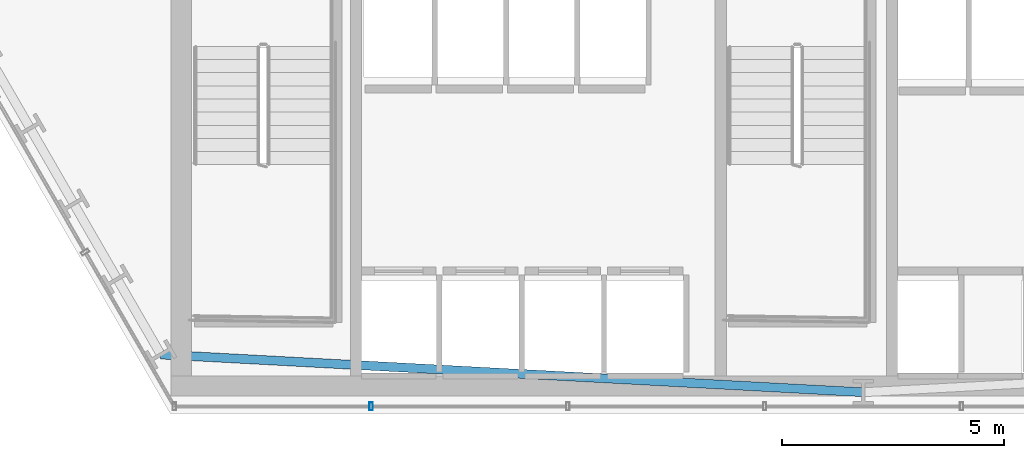
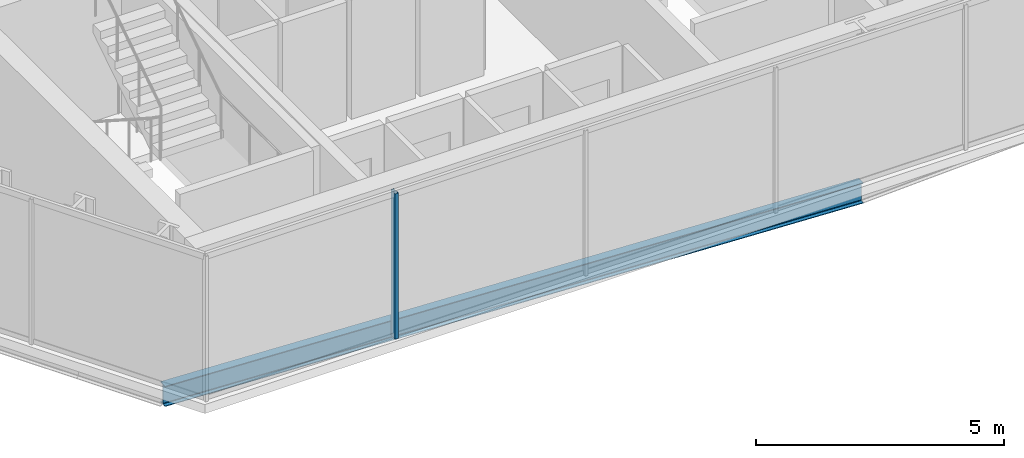
# One storey, part 3 of 32: 1 beam, 1 member, 1 element without a shape of its own.
"""IFC4 building model written with IfcOpenShell, lengths in metres."""

from ifc_helpers import new_model, si_unit, direction, frame, origin, origin_2d, place, context, subcontext, project, spatial, hollow_rectangle, i_section, extrude, material, layer, layer_set, material_profile, profile_set, type_object, element, aggregate, save


model = new_model("IFC4")

# Units and contexts
model_context = context("Model", 3, precision=1e-05, world=origin(), true_north=direction((0.0, 1.0)))
body_context = subcontext(model_context, "Body", "Model", "MODEL_VIEW")
ifc_project = project(units=[si_unit("LENGTHUNIT", "METRE"), si_unit("AREAUNIT", "SQUARE_METRE"), si_unit("VOLUMEUNIT", "CUBIC_METRE"), si_unit("PLANEANGLEUNIT", "RADIAN"), si_unit("MASSUNIT", "GRAM", prefix="KILO")], contexts=[model_context])

# Site, building, storey
site_placement = place(None, origin())
site = spatial("IfcSite", under=ifc_project, at=site_placement, CompositionType="ELEMENT")
building_placement = place(site_placement, origin())
building = spatial("IfcBuilding", under=site, at=building_placement, Name="Ndaravel Arena Tower", CompositionType="ELEMENT")
storey_placement = place(building_placement, frame((0.0, 0.0, 47.39990234375)))
storey = spatial("IfcBuildingStorey", under=building, at=storey_placement, Name="L09", CompositionType="ELEMENT", Elevation=47.39990234375)

# Beam
ifc_material_1 = material(Name="Steel S355", Category="steel")
ifc_material_profile_1 = material_profile(ifc_material_1, i_section(OverallWidth=0.199951171875, OverallDepth=0.5, WebThickness=0.01025390625, FlangeThickness=0.01611328125, FilletRadius=0.02099609375, at=origin_2d()), Name="IPE 500")
ifc_profile_set_1 = profile_set([ifc_material_profile_1], Name="Steel S355")
beam_type = type_object("IfcBeamType", Name="BM-SPAN-IPE500", PredefinedType="SPANDREL", material=ifc_profile_set_1)
beam_placement = place(storey_placement, frame((26.215576171875, 6.327392578125, -0.469970703125), z_axis=(0.998561982084, -0.053609401572, 0.0), x_axis=(0.053609401572, 0.998561982084, 0.0)))
element("IfcBeam", 1, at=beam_placement, inside=storey, type_object=beam_type, Name="L09 Perimeter Spandrel Beam SP-27", PredefinedType="SPANDREL", context=body_context, shape_type="SweptSolid", body=[
    extrude(i_section(OverallWidth=0.199951171875, OverallDepth=0.5, WebThickness=0.01025390625, FlangeThickness=0.01611328125, FilletRadius=0.02099609375, at=origin_2d()), origin(), (0.0, 0.0, 1.0), 15.80712890625),
])

# Curtain wall, member
ifc_material_2 = material(Name="Aluminium", Category="aluminium")
ifc_layer = layer(ifc_material_2, 0.179931640625)
ifc_layer_set = layer_set([ifc_layer], Name="Aluminium")
curtain_wall_type = type_object("IfcCurtainWallType", Name="CW-SYS-03", PredefinedType="NOTDEFINED", material=ifc_layer_set)
curtain_wall_placement = place(storey_placement, origin())
curtain_wall = element("IfcCurtainWall", 2, at=curtain_wall_placement, inside=storey, type_object=curtain_wall_type, Name="L09 Faceted Crystal Curtain Wall CW-L09-E01", PredefinedType="NOTDEFINED")
ifc_material_3 = material(Name="Aluminium", Category="aluminium")
ifc_material_profile_2 = material_profile(ifc_material_3, hollow_rectangle(XDim=0.074951171875, YDim=0.179931640625, WallThickness=0.00390625, at=origin_2d()), Name="CW MULLION 75x180x4")
ifc_profile_set_2 = profile_set([ifc_material_profile_2], Name="Aluminium")
member_type = type_object("IfcMemberType", Name="MEM-CW-MUL180", PredefinedType="MULLION", material=ifc_profile_set_2)
member_placement = place(storey_placement, frame((30.94287109375, 5.159912109375, 0.0), z_axis=(0.0, 0.0, 1.0), x_axis=(1.0, 0.0, 0.0)))
member = element("IfcMember", 3, at=member_placement, type_object=member_type, Name="CW-L09-E01 Mullion 01", PredefinedType="MULLION", context=body_context, shape_type="SweptSolid", body=[
    extrude(hollow_rectangle(XDim=0.074951171875, YDim=0.179931640625, WallThickness=0.00390625, at=origin_2d()), origin(), (0.0, 0.0, 1.0), 3.580078125),
])
aggregate(curtain_wall, [member])

save(model, "model.ifc")
